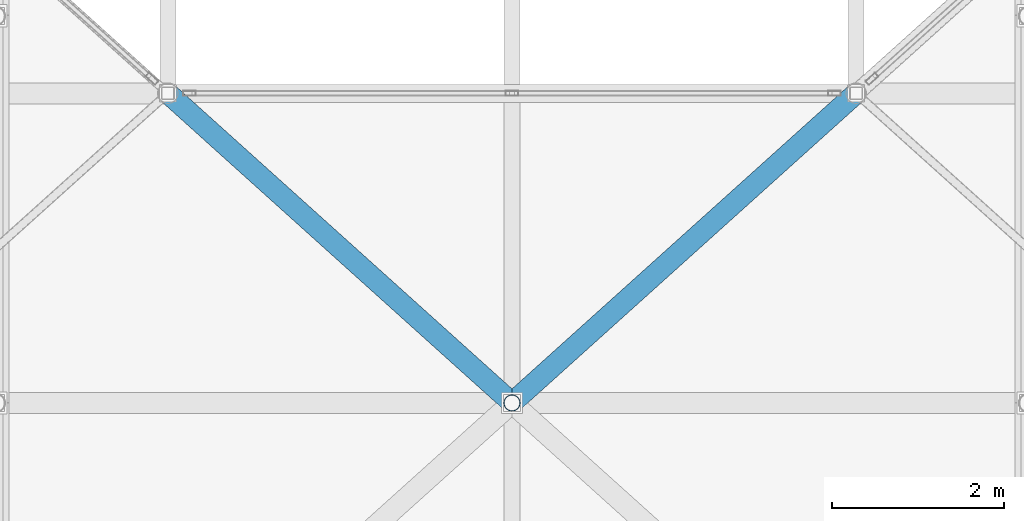
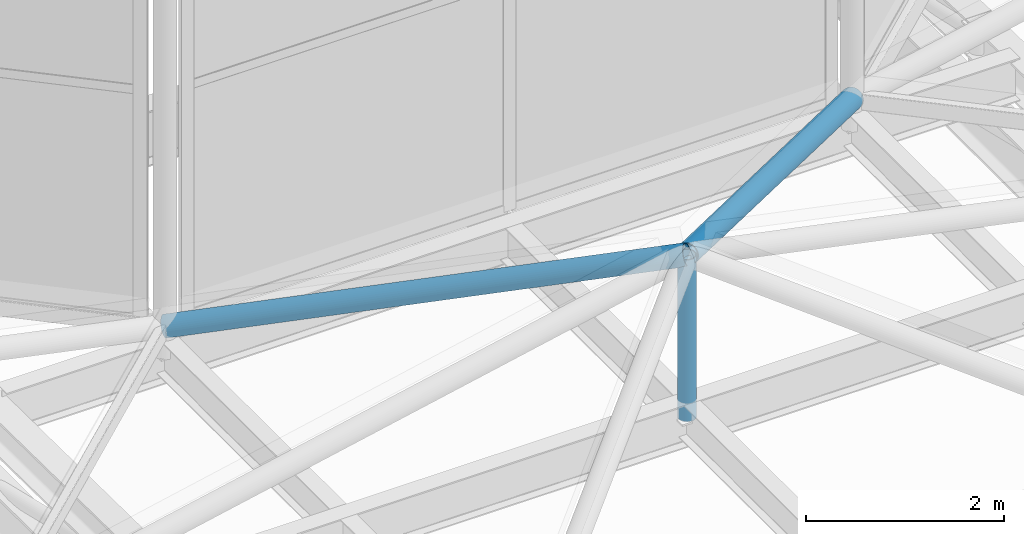
# One storey, part 84 of 239: 3 members.
"""IFC4 building model written with IfcOpenShell, lengths in metres."""

from ifc_helpers import new_model, si_unit, direction, frame, origin, origin_2d, place, context, subcontext, project, spatial, hollow_circle, extrude, material, material_profile, profile_set, type_object, element, save


model = new_model("IFC4")

# Units and contexts
model_context = context("Model", 3, precision=1e-05, world=origin(), true_north=direction((0.0, 1.0)))
body_context = subcontext(model_context, "Body", "Model", "MODEL_VIEW")
ifc_project = project(units=[si_unit("LENGTHUNIT", "METRE"), si_unit("AREAUNIT", "SQUARE_METRE"), si_unit("VOLUMEUNIT", "CUBIC_METRE"), si_unit("PLANEANGLEUNIT", "RADIAN"), si_unit("MASSUNIT", "GRAM", prefix="KILO")], contexts=[model_context])

# Site, building, storey
site_placement = place(None, origin())
site = spatial("IfcSite", under=ifc_project, at=site_placement, CompositionType="ELEMENT")
building_placement = place(site_placement, origin())
building = spatial("IfcBuilding", under=site, at=building_placement, Name="Dunvalen Ferry Terminal", CompositionType="ELEMENT")
storey_placement = place(building_placement, frame((0.0, 0.0, 9.840087890625)))
storey = spatial("IfcBuildingStorey", under=building, at=storey_placement, Name="L02", CompositionType="ELEMENT", Elevation=9.840087890625)

# Members
ifc_material = material(Name="Steel S355", Category="steel")
ifc_material_profile_1 = material_profile(ifc_material, hollow_circle(Radius=0.096923828125, WallThickness=0.008056640625, at=origin_2d()), Name="Steel S355")
ifc_profile_set_1 = profile_set([ifc_material_profile_1], Name="Steel S355")
member_type_1 = type_object("IfcMemberType", Name="STR-MB-CHS193", PredefinedType="STRUT", material=ifc_profile_set_1)
member_placement = place(storey_placement, frame((42.0, 68.39990234375, 0.77001953125), z_axis=(0.0, 0.0, 1.0), x_axis=(1.0, 0.0, 0.0)))
element("IfcMember", 1, at=member_placement, inside=storey, type_object=member_type_1, Name="HEX-20 Pyramid Apex Strut", PredefinedType="STRUT", context=body_context, shape_type="SweptSolid", body=[
    extrude(hollow_circle(Radius=0.096923828125, WallThickness=0.008056640625, at=origin_2d()), origin(), (0.0, 0.0, 1.0), 1.994873046875),
])
ifc_material_profile_2 = material_profile(ifc_material, hollow_circle(Radius=0.122314453125, WallThickness=0.010009765625, at=origin_2d()), Name="Steel S355")
ifc_profile_set_2 = profile_set([ifc_material_profile_2], Name="Steel S355")
member_type_2 = type_object("IfcMemberType", Name="STR-MB-CHS244", PredefinedType="STRUT", material=ifc_profile_set_2)
for number, where, z_axis, x_axis, name in (
    (2, (46.0, 72.0, 1.099853515625), (-0.710074680578, -0.639084548328, 0.295575520114), (0.668974757313, -0.743285123004, 0.0), "HEX-20 Pyramid Hip Rafter 5"),
    (3, (38.0, 72.0, 1.099853515625), (0.710074680578, -0.639084548328, 0.295575520114), (0.668974757313, 0.743285123004, 0.0), "HEX-20 Pyramid Hip Rafter 6"),
):
    element("IfcMember", number, at=place(storey_placement, frame(where, z_axis=z_axis, x_axis=x_axis)), inside=storey, type_object=member_type_2, Name=name, PredefinedType="STRUT", context=body_context, shape_type="SweptSolid", body=[
        extrude(hollow_circle(Radius=0.122314453125, WallThickness=0.010009765625, at=origin_2d()), origin(), (0.0, 0.0, 1.0), 5.63330078125),
    ])

save(model, "model.ifc")
